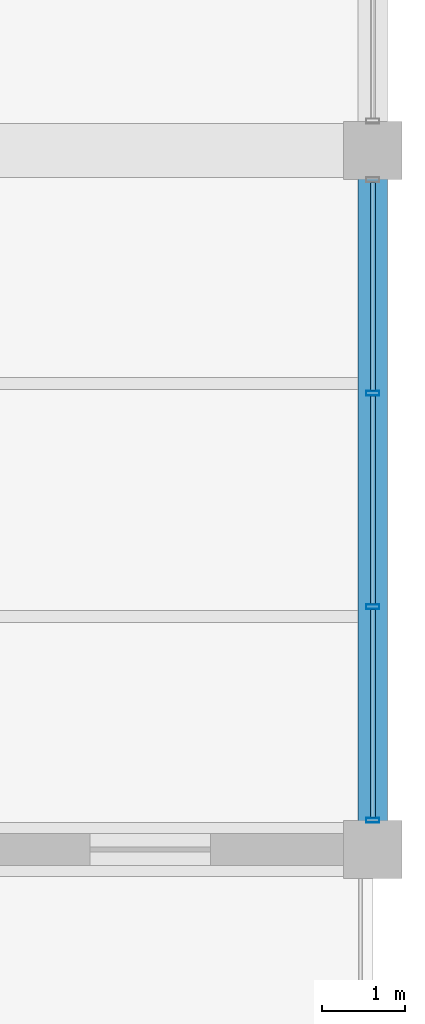
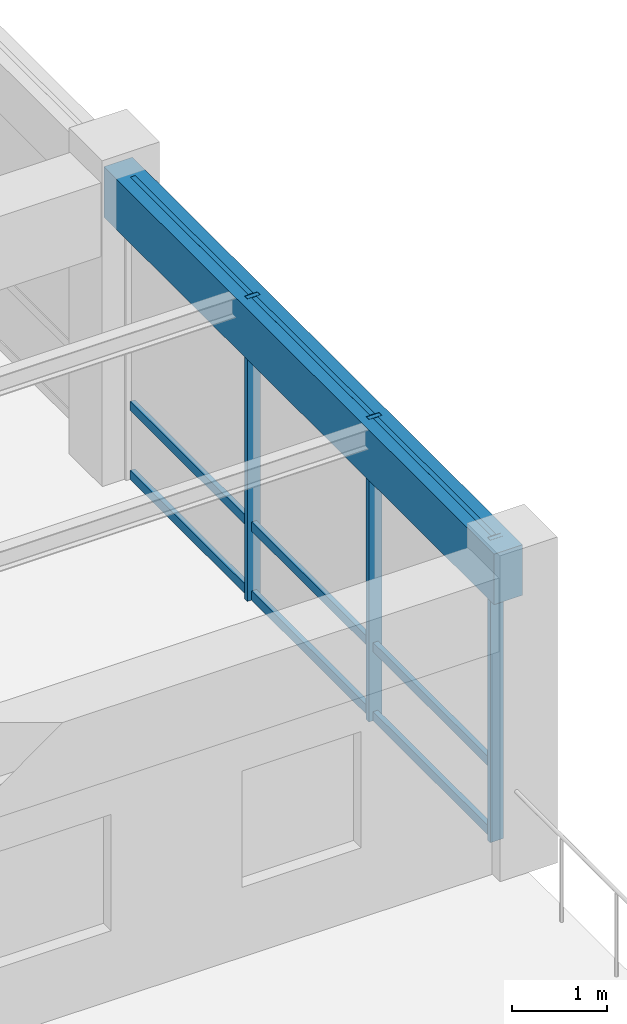
# One storey, part 86 of 152: 12 members, 1 beam, 1 element without a shape of its own.
"""IFC4 building model written with IfcOpenShell, lengths in metres."""

from ifc_helpers import new_model, si_unit, direction, frame, origin, origin_2d, place, context, subcontext, project, spatial, rectangle, hollow_rectangle, extrude, material, material_profile, profile_set, type_object, element, aggregate, save


model = new_model("IFC4")

# Units and contexts
model_context = context("Model", 3, precision=1e-05, world=origin(), true_north=direction((0.0, 1.0)))
body_context = subcontext(model_context, "Body", "Model", "MODEL_VIEW")
ifc_project = project(units=[si_unit("LENGTHUNIT", "METRE"), si_unit("AREAUNIT", "SQUARE_METRE"), si_unit("VOLUMEUNIT", "CUBIC_METRE"), si_unit("PLANEANGLEUNIT", "RADIAN"), si_unit("MASSUNIT", "GRAM", prefix="KILO"), si_unit("THERMODYNAMICTEMPERATUREUNIT", "KELVIN"), si_unit("POWERUNIT", "WATT")], contexts=[model_context])

# Site, building, storey
site_placement = place(None, origin())
site = spatial("IfcSite", under=ifc_project, at=site_placement, CompositionType="ELEMENT")
building_placement = place(site_placement, origin())
building = spatial("IfcBuilding", under=site, at=building_placement, Name="Darbajah Civic Hall", CompositionType="ELEMENT")
storey_placement = place(building_placement, frame((0.0, 0.0, 5.39990234375)))
storey = spatial("IfcBuildingStorey", under=building, at=storey_placement, Name="L01", CompositionType="ELEMENT", Elevation=5.39990234375)

# Curtain wall, members
ifc_material_1 = material(Name="Anodised Bronze Aluminium and Low-E Glazing", Category="aluminium")
curtain_wall_type = type_object("IfcCurtainWallType", Name="Unitised Curtain Wall CW-52 7700x3900", PredefinedType="USERDEFINED", material=ifc_material_1)
curtain_wall_placement = place(storey_placement, origin())
curtain_wall = element("IfcCurtainWall", 1, at=curtain_wall_placement, inside=storey, type_object=curtain_wall_type, Name="L01 unitised curtain wall CW-V3-L01-S3-B0", ObjectType="UNITISED CURTAIN WALL", PredefinedType="USERDEFINED")
ifc_material_2 = material(Name="Anodised Bronze Aluminium", Category="aluminium")
ifc_material_profile_1 = material_profile(ifc_material_2, hollow_rectangle(XDim=0.06005859375, YDim=0.159912109375, WallThickness=0.00341796875, at=origin_2d()), Name="ALU MULLION 60x160")
ifc_profile_set_1 = profile_set([ifc_material_profile_1], Name="Anodised Bronze Aluminium")
member_type_1 = type_object("IfcMemberType", Name="ALU MULLION 60x160", PredefinedType="MULLION", material=ifc_profile_set_1)
member_1_placement = place(storey_placement, frame((178.199951171875, 8.751953125, 0.0), z_axis=(0.0, 0.0, 1.0), x_axis=(0.0, 1.0, 0.0)))
member_1 = element("IfcMember", 2, at=member_1_placement, type_object=member_type_1, Name="CW-V3-L01-S3-B0 mullion 1", PredefinedType="MULLION", context=body_context, shape_type="SweptSolid", body=[
    extrude(hollow_rectangle(XDim=0.06005859375, YDim=0.159912109375, WallThickness=0.00341796875, at=origin_2d()), origin(), (0.0, 0.0, 1.0), 3.900146484375),
])
member_2_placement = place(storey_placement, frame((178.199951171875, 11.3173828125, 0.0), z_axis=(0.0, 0.0, 1.0), x_axis=(0.0, 1.0, 0.0)))
member_2 = element("IfcMember", 3, at=member_2_placement, type_object=member_type_1, Name="CW-V3-L01-S3-B0 mullion 2", PredefinedType="MULLION", context=body_context, shape_type="SweptSolid", body=[
    extrude(hollow_rectangle(XDim=0.06005859375, YDim=0.159912109375, WallThickness=0.00341796875, at=origin_2d()), origin(), (0.0, 0.0, 1.0), 3.900146484375),
])
member_3_placement = place(storey_placement, frame((178.199951171875, 13.8828125, 0.0), z_axis=(0.0, 0.0, 1.0), x_axis=(0.0, 1.0, 0.0)))
member_3 = element("IfcMember", 4, at=member_3_placement, type_object=member_type_1, Name="CW-V3-L01-S3-B0 mullion 3", PredefinedType="MULLION", context=body_context, shape_type="SweptSolid", body=[
    extrude(hollow_rectangle(XDim=0.06005859375, YDim=0.159912109375, WallThickness=0.00341796875, at=origin_2d()), origin(), (0.0, 0.0, 1.0), 3.900146484375),
])
ifc_material_profile_2 = material_profile(ifc_material_2, hollow_rectangle(XDim=0.06005859375, YDim=0.1201171875, WallThickness=0.003173828125, at=origin_2d()), Name="ALU TRANSOM 60x120")
ifc_profile_set_2 = profile_set([ifc_material_profile_2], Name="Anodised Bronze Aluminium")
member_type_2 = type_object("IfcMemberType", Name="ALU TRANSOM 60x120", PredefinedType="USERDEFINED", material=ifc_profile_set_2)
member_4_placement = place(storey_placement, frame((178.199951171875, 8.787109375, 0.06005859375), z_axis=(0.0, 1.0, 0.0), x_axis=(-1.0, 0.0, 0.0)))
member_4 = element("IfcMember", 5, at=member_4_placement, type_object=member_type_2, Name="CW-V3-L01-S3-B0 transom 1.1", ObjectType="TRANSOM", PredefinedType="USERDEFINED", context=body_context, shape_type="SweptSolid", body=[
    extrude(hollow_rectangle(XDim=0.06005859375, YDim=0.1201171875, WallThickness=0.003173828125, at=origin_2d()), origin(), (0.0, 0.0, 1.0), 2.4951171875),
])
member_5_placement = place(storey_placement, frame((178.199951171875, 8.787109375, 0.9501953125), z_axis=(0.0, 1.0, 0.0), x_axis=(-1.0, 0.0, 0.0)))
member_5 = element("IfcMember", 6, at=member_5_placement, type_object=member_type_2, Name="CW-V3-L01-S3-B0 transom 1.2", ObjectType="TRANSOM", PredefinedType="USERDEFINED", context=body_context, shape_type="SweptSolid", body=[
    extrude(hollow_rectangle(XDim=0.06005859375, YDim=0.1201171875, WallThickness=0.003173828125, at=origin_2d()), origin(), (0.0, 0.0, 1.0), 2.4951171875),
])
member_6_placement = place(storey_placement, frame((178.199951171875, 8.787109375, 3.840087890625), z_axis=(0.0, 1.0, 0.0), x_axis=(-1.0, 0.0, 0.0)))
member_6 = element("IfcMember", 7, at=member_6_placement, type_object=member_type_2, Name="CW-V3-L01-S3-B0 transom 1.3", ObjectType="TRANSOM", PredefinedType="USERDEFINED", context=body_context, shape_type="SweptSolid", body=[
    extrude(hollow_rectangle(XDim=0.06005859375, YDim=0.1201171875, WallThickness=0.003173828125, at=origin_2d()), origin(), (0.0, 0.0, 1.0), 2.4951171875),
])
member_7_placement = place(storey_placement, frame((178.199951171875, 11.352294921875, 0.06005859375), z_axis=(0.0, 1.0, 0.0), x_axis=(-1.0, 0.0, 0.0)))
member_7 = element("IfcMember", 8, at=member_7_placement, type_object=member_type_2, Name="CW-V3-L01-S3-B0 transom 2.1", ObjectType="TRANSOM", PredefinedType="USERDEFINED", context=body_context, shape_type="SweptSolid", body=[
    extrude(hollow_rectangle(XDim=0.06005859375, YDim=0.1201171875, WallThickness=0.003173828125, at=origin_2d()), origin(), (0.0, 0.0, 1.0), 2.495361328125),
])
member_8_placement = place(storey_placement, frame((178.199951171875, 11.352294921875, 0.9501953125), z_axis=(0.0, 1.0, 0.0), x_axis=(-1.0, 0.0, 0.0)))
member_8 = element("IfcMember", 9, at=member_8_placement, type_object=member_type_2, Name="CW-V3-L01-S3-B0 transom 2.2", ObjectType="TRANSOM", PredefinedType="USERDEFINED", context=body_context, shape_type="SweptSolid", body=[
    extrude(hollow_rectangle(XDim=0.06005859375, YDim=0.1201171875, WallThickness=0.003173828125, at=origin_2d()), origin(), (0.0, 0.0, 1.0), 2.495361328125),
])
member_9_placement = place(storey_placement, frame((178.199951171875, 11.352294921875, 3.840087890625), z_axis=(0.0, 1.0, 0.0), x_axis=(-1.0, 0.0, 0.0)))
member_9 = element("IfcMember", 10, at=member_9_placement, type_object=member_type_2, Name="CW-V3-L01-S3-B0 transom 2.3", ObjectType="TRANSOM", PredefinedType="USERDEFINED", context=body_context, shape_type="SweptSolid", body=[
    extrude(hollow_rectangle(XDim=0.06005859375, YDim=0.1201171875, WallThickness=0.003173828125, at=origin_2d()), origin(), (0.0, 0.0, 1.0), 2.495361328125),
])
member_10_placement = place(storey_placement, frame((178.199951171875, 13.917724609375, 0.06005859375), z_axis=(0.0, 1.0, 0.0), x_axis=(-1.0, 0.0, 0.0)))
member_10 = element("IfcMember", 11, at=member_10_placement, type_object=member_type_2, Name="CW-V3-L01-S3-B0 transom 3.1", ObjectType="TRANSOM", PredefinedType="USERDEFINED", context=body_context, shape_type="SweptSolid", body=[
    extrude(hollow_rectangle(XDim=0.06005859375, YDim=0.1201171875, WallThickness=0.003173828125, at=origin_2d()), origin(), (0.0, 0.0, 1.0), 2.495361328125),
])
member_11_placement = place(storey_placement, frame((178.199951171875, 13.917724609375, 0.9501953125), z_axis=(0.0, 1.0, 0.0), x_axis=(-1.0, 0.0, 0.0)))
member_11 = element("IfcMember", 12, at=member_11_placement, type_object=member_type_2, Name="CW-V3-L01-S3-B0 transom 3.2", ObjectType="TRANSOM", PredefinedType="USERDEFINED", context=body_context, shape_type="SweptSolid", body=[
    extrude(hollow_rectangle(XDim=0.06005859375, YDim=0.1201171875, WallThickness=0.003173828125, at=origin_2d()), origin(), (0.0, 0.0, 1.0), 2.495361328125),
])
member_12_placement = place(storey_placement, frame((178.199951171875, 13.917724609375, 3.840087890625), z_axis=(0.0, 1.0, 0.0), x_axis=(-1.0, 0.0, 0.0)))
member_12 = element("IfcMember", 13, at=member_12_placement, type_object=member_type_2, Name="CW-V3-L01-S3-B0 transom 3.3", ObjectType="TRANSOM", PredefinedType="USERDEFINED", context=body_context, shape_type="SweptSolid", body=[
    extrude(hollow_rectangle(XDim=0.06005859375, YDim=0.1201171875, WallThickness=0.003173828125, at=origin_2d()), origin(), (0.0, 0.0, 1.0), 2.495361328125),
])
aggregate(curtain_wall, [member_1, member_2, member_3, member_4, member_5, member_6, member_7, member_8, member_9, member_10, member_11, member_12])

# Beam
ifc_material_3 = material(Name="Concrete C45/55", Category="concrete")
ifc_material_profile_3 = material_profile(ifc_material_3, rectangle(XDim=0.35009765625, YDim=0.64990234375, at=origin_2d()), Name="RC SPANDREL 350x650")
ifc_profile_set_3 = profile_set([ifc_material_profile_3], Name="Concrete C45/55")
beam_type = type_object("IfcBeamType", Name="RC SPANDREL 350x650", PredefinedType="SPANDREL", material=ifc_profile_set_3)
beam_placement = place(storey_placement, frame((178.199951171875, 8.47998046875, 3.5751953125), z_axis=(0.0, 1.0, 0.0), x_axis=(-1.0, 0.0, 0.0)))
element("IfcBeam", 14, at=beam_placement, inside=storey, type_object=beam_type, Name="L01 beam SP-3565", PredefinedType="SPANDREL", context=body_context, shape_type="SweptSolid", body=[
    extrude(rectangle(XDim=0.35009765625, YDim=0.64990234375, at=origin_2d()), origin(), (0.0, 0.0, 1.0), 8.239990234375),
])

save(model, "model.ifc")
